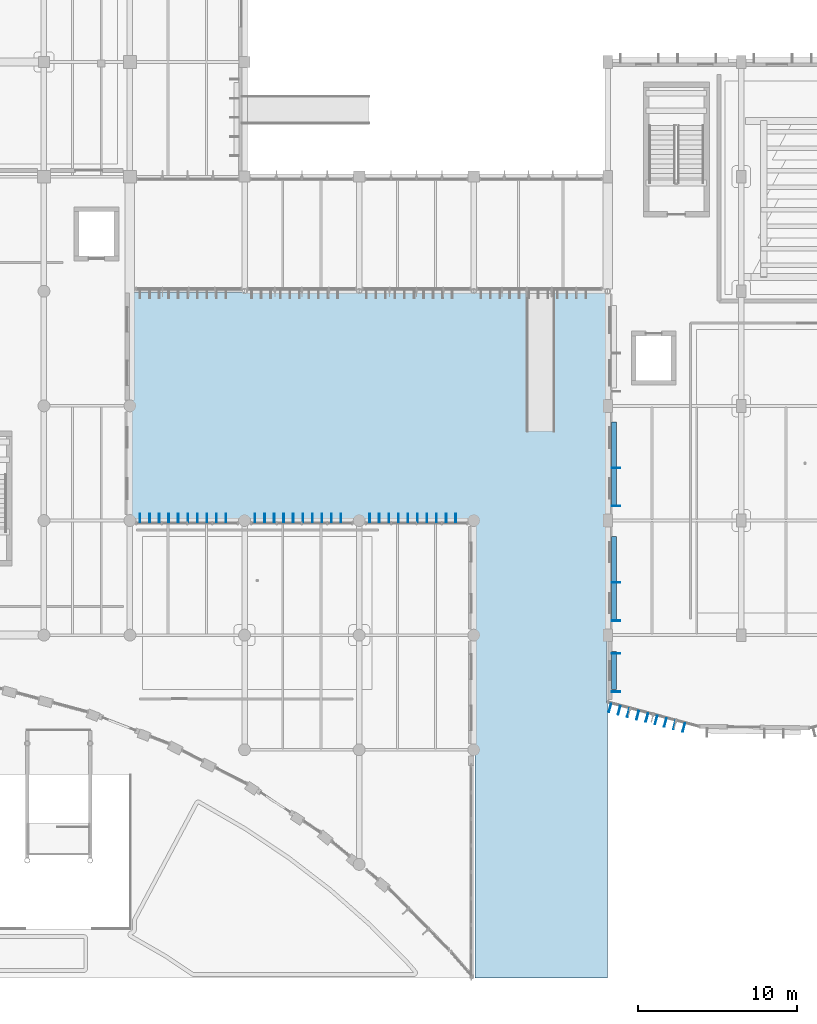
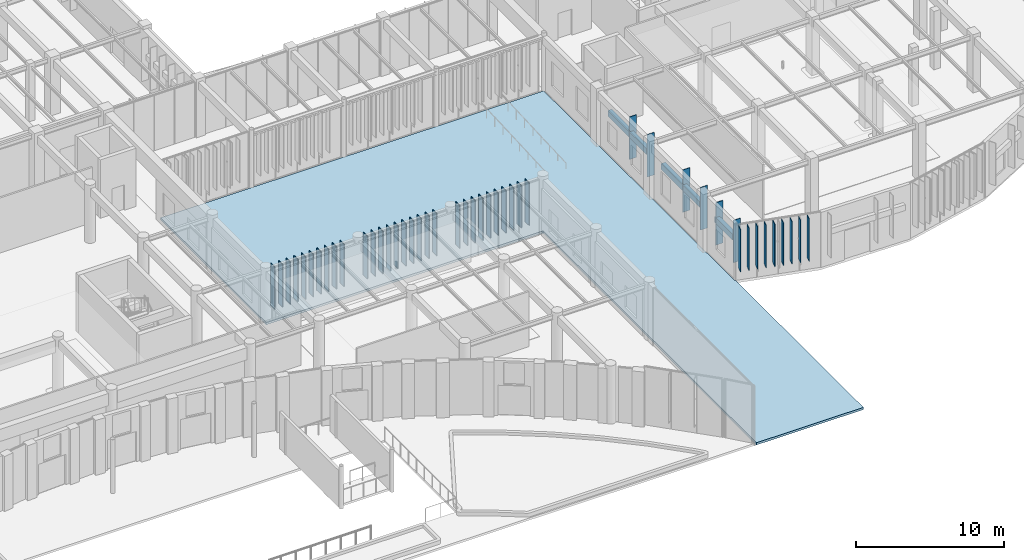
# One storey, part 19 of 122: 48 plates, 1 slab.
"""IFC4 building model written with IfcOpenShell, lengths in metres."""

from ifc_helpers import new_model, si_unit, direction, frame, origin, origin_2d, place, context, subcontext, project, spatial, polyline, rectangle, outline, extrude, material, layer, layer_set, type_object, element, save


model = new_model("IFC4")

# Units and contexts
model_context = context("Model", 3, precision=1e-05, world=origin(), true_north=direction((0.0, 1.0)))
body_context = subcontext(model_context, "Body", "Model", "MODEL_VIEW")
ifc_project = project(units=[si_unit("LENGTHUNIT", "METRE"), si_unit("AREAUNIT", "SQUARE_METRE"), si_unit("VOLUMEUNIT", "CUBIC_METRE"), si_unit("PLANEANGLEUNIT", "RADIAN"), si_unit("MASSUNIT", "GRAM", prefix="KILO")], contexts=[model_context])

# Site, building, storey
site_placement = place(None, origin())
site = spatial("IfcSite", under=ifc_project, at=site_placement, CompositionType="ELEMENT")
building_placement = place(site_placement, origin())
building = spatial("IfcBuilding", under=site, at=building_placement, Name="Tazoul Stagehouse", CompositionType="ELEMENT")
storey_placement = place(building_placement, origin())
storey = spatial("IfcBuildingStorey", under=building, at=storey_placement, Name="L00", CompositionType="ELEMENT", Elevation=0.0)

# Slab
ifc_material_1 = material(Name="Precast concrete C35/45", Category="concrete")
ifc_layer_1 = layer(ifc_material_1, 0.179931640625, Name="Precast concrete C35/45")
ifc_layer_set_1 = layer_set([ifc_layer_1], Name="Precast concrete C35/45")
slab_type = type_object("IfcSlabType", Name="Exterior Civic Transit Plaza Paving Plinth 180", PredefinedType="BASESLAB", material=ifc_layer_set_1)
slab_placement = place(storey_placement, frame((0.0, 0.0, -0.179931640625)))
element("IfcSlab", 1, at=slab_placement, inside=storey, type_object=slab_type, Name="L00 Civic Transit Plaza Paving Plinth PV-01 (3)", PredefinedType="BASESLAB", context=body_context, shape_type="SweptSolid", body=[
    extrude(outline(polyline([(117.06005859375, 1.449951171875), (117.06005859375, 30.199951171875), (117.059814453125, 30.205810546875), (117.058837890625, 30.211669921875), (117.057373046875, 30.21728515625), (117.055419921875, 30.222900390625), (117.052978515625, 30.228271484375), (117.0498046875, 30.2333984375), (117.04638671875, 30.238037109375), (117.04248046875, 30.242431640625), (117.0380859375, 30.246337890625), (117.033203125, 30.25), (117.0283203125, 30.2529296875), (117.02294921875, 30.25537109375), (117.017333984375, 30.25732421875), (117.01171875, 30.2587890625), (117.005859375, 30.259765625), (117.0, 30.260009765625), (95.4599609375, 30.260009765625), (95.4599609375, 44.52001953125), (125.340087890625, 44.52001953125), (125.340087890625, 18.800048828125), (125.34033203125, 18.7939453125), (125.34130859375, 18.7880859375), (125.3427734375, 18.781982421875), (125.3447265625, 18.7763671875), (125.347412109375, 18.77099609375), (125.3505859375, 18.765869140625), (125.354248046875, 18.760986328125), (125.3583984375, 18.756591796875), (125.363037109375, 18.752685546875), (125.367919921875, 18.749267578125), (125.373291015625, 18.746337890625), (125.37890625, 18.743896484375), (125.384521484375, 18.741943359375), (125.39990234375, 18.73779296875), (125.39990234375, 1.449951171875), (117.06005859375, 1.449951171875)])), origin(), (0.0, 0.0, 1.0), 0.179931640625),
])

# Plates
ifc_material_2 = material(Name="Anodised Bronze Aluminium 6063-T6", Category="aluminium")
ifc_layer_2 = layer(ifc_material_2, 0.550048828125, Name="Anodised Bronze Aluminium 6063-T6")
ifc_layer_set_2 = layer_set([ifc_layer_2], Name="Anodised Bronze Aluminium 6063-T6")
plate_type_1 = type_object("IfcPlateType", Name="Parametric Terracotta-Bronze Solar Fin 550x3500", PredefinedType="USERDEFINED", material=ifc_layer_set_2)
for number, where, z_axis, x_axis, name in (
    (2, (96.0400390625, 30.35498046875, 0.989990234375), (0.0, 0.0, 1.0), (1.0, 0.0, 0.0), "L00 Parametric Solar Fin SFN-21 (CW-V5-NRET-E-L00-B1-01)"),
    (3, (96.639892578125, 30.35498046875, 0.989990234375), (0.0, 0.0, 1.0), (1.0, 0.0, 0.0), "L00 Parametric Solar Fin SFN-21 (CW-V5-NRET-E-L00-B1-02)"),
    (4, (97.239990234375, 30.35498046875, 0.989990234375), (0.0, 0.0, 1.0), (1.0, 0.0, 0.0), "L00 Parametric Solar Fin SFN-21 (CW-V5-NRET-E-L00-B1-03)"),
    (5, (97.840087890625, 30.35498046875, 0.989990234375), (0.0, 0.0, 1.0), (1.0, 0.0, 0.0), "L00 Parametric Solar Fin SFN-21 (CW-V5-NRET-E-L00-B1-04)"),
    (6, (98.43994140625, 30.35498046875, 0.989990234375), (0.0, 0.0, 1.0), (1.0, 0.0, 0.0), "L00 Parametric Solar Fin SFN-21 (CW-V5-NRET-E-L00-B1-05)"),
    (7, (99.0400390625, 30.35498046875, 0.989990234375), (0.0, 0.0, 1.0), (1.0, 0.0, 0.0), "L00 Parametric Solar Fin SFN-21 (CW-V5-NRET-E-L00-B1-06)"),
    (8, (99.639892578125, 30.35498046875, 0.989990234375), (0.0, 0.0, 1.0), (1.0, 0.0, 0.0), "L00 Parametric Solar Fin SFN-21 (CW-V5-NRET-E-L00-B1-07)"),
    (9, (100.239990234375, 30.35498046875, 0.989990234375), (0.0, 0.0, 1.0), (1.0, 0.0, 0.0), "L00 Parametric Solar Fin SFN-21 (CW-V5-NRET-E-L00-B1-08)"),
    (10, (100.840087890625, 30.35498046875, 0.989990234375), (0.0, 0.0, 1.0), (1.0, 0.0, 0.0), "L00 Parametric Solar Fin SFN-21 (CW-V5-NRET-E-L00-B1-09)"),
    (11, (101.43994140625, 30.35498046875, 0.989990234375), (0.0, 0.0, 1.0), (1.0, 0.0, 0.0), "L00 Parametric Solar Fin SFN-21 (CW-V5-NRET-E-L00-B1-10)"),
    (12, (103.264892578125, 30.35498046875, 0.989990234375), (0.0, 0.0, 1.0), (1.0, 0.0, 0.0), "L00 Parametric Solar Fin SFN-21 (CW-V5-NRET-E-L00-B2-01)"),
    (13, (103.864990234375, 30.35498046875, 0.989990234375), (0.0, 0.0, 1.0), (1.0, 0.0, 0.0), "L00 Parametric Solar Fin SFN-21 (CW-V5-NRET-E-L00-B2-02)"),
    (14, (104.465087890625, 30.35498046875, 0.989990234375), (0.0, 0.0, 1.0), (1.0, 0.0, 0.0), "L00 Parametric Solar Fin SFN-21 (CW-V5-NRET-E-L00-B2-03)"),
    (15, (105.06494140625, 30.35498046875, 0.989990234375), (0.0, 0.0, 1.0), (1.0, 0.0, 0.0), "L00 Parametric Solar Fin SFN-21 (CW-V5-NRET-E-L00-B2-04)"),
    (16, (105.6650390625, 30.35498046875, 0.989990234375), (0.0, 0.0, 1.0), (1.0, 0.0, 0.0), "L00 Parametric Solar Fin SFN-21 (CW-V5-NRET-E-L00-B2-05)"),
    (17, (106.264892578125, 30.35498046875, 0.989990234375), (0.0, 0.0, 1.0), (1.0, 0.0, 0.0), "L00 Parametric Solar Fin SFN-21 (CW-V5-NRET-E-L00-B2-06)"),
    (18, (106.864990234375, 30.35498046875, 0.989990234375), (0.0, 0.0, 1.0), (1.0, 0.0, 0.0), "L00 Parametric Solar Fin SFN-21 (CW-V5-NRET-E-L00-B2-07)"),
    (19, (107.465087890625, 30.35498046875, 0.989990234375), (0.0, 0.0, 1.0), (1.0, 0.0, 0.0), "L00 Parametric Solar Fin SFN-21 (CW-V5-NRET-E-L00-B2-08)"),
    (20, (108.06494140625, 30.35498046875, 0.989990234375), (0.0, 0.0, 1.0), (1.0, 0.0, 0.0), "L00 Parametric Solar Fin SFN-21 (CW-V5-NRET-E-L00-B2-09)"),
    (21, (108.6650390625, 30.35498046875, 0.989990234375), (0.0, 0.0, 1.0), (1.0, 0.0, 0.0), "L00 Parametric Solar Fin SFN-21 (CW-V5-NRET-E-L00-B2-10)"),
    (22, (110.465087890625, 30.35498046875, 0.989990234375), (0.0, 0.0, 1.0), (1.0, 0.0, 0.0), "L00 Parametric Solar Fin SFN-21 (CW-V5-NRET-E-L00-B3-01)"),
    (23, (111.06494140625, 30.35498046875, 0.989990234375), (0.0, 0.0, 1.0), (1.0, 0.0, 0.0), "L00 Parametric Solar Fin SFN-21 (CW-V5-NRET-E-L00-B3-02)"),
    (24, (111.6650390625, 30.35498046875, 0.989990234375), (0.0, 0.0, 1.0), (1.0, 0.0, 0.0), "L00 Parametric Solar Fin SFN-21 (CW-V5-NRET-E-L00-B3-03)"),
    (25, (112.264892578125, 30.35498046875, 0.989990234375), (0.0, 0.0, 1.0), (1.0, 0.0, 0.0), "L00 Parametric Solar Fin SFN-21 (CW-V5-NRET-E-L00-B3-04)"),
    (26, (112.864990234375, 30.35498046875, 0.989990234375), (0.0, 0.0, 1.0), (1.0, 0.0, 0.0), "L00 Parametric Solar Fin SFN-21 (CW-V5-NRET-E-L00-B3-05)"),
    (27, (113.465087890625, 30.35498046875, 0.989990234375), (0.0, 0.0, 1.0), (1.0, 0.0, 0.0), "L00 Parametric Solar Fin SFN-21 (CW-V5-NRET-E-L00-B3-06)"),
    (28, (114.06494140625, 30.35498046875, 0.989990234375), (0.0, 0.0, 1.0), (1.0, 0.0, 0.0), "L00 Parametric Solar Fin SFN-21 (CW-V5-NRET-E-L00-B3-07)"),
    (29, (114.6650390625, 30.35498046875, 0.989990234375), (0.0, 0.0, 1.0), (1.0, 0.0, 0.0), "L00 Parametric Solar Fin SFN-21 (CW-V5-NRET-E-L00-B3-08)"),
    (30, (115.264892578125, 30.35498046875, 0.989990234375), (0.0, 0.0, 1.0), (1.0, 0.0, 0.0), "L00 Parametric Solar Fin SFN-21 (CW-V5-NRET-E-L00-B3-09)"),
    (31, (115.864990234375, 30.35498046875, 0.989990234375), (0.0, 0.0, 1.0), (1.0, 0.0, 0.0), "L00 Parametric Solar Fin SFN-21 (CW-V5-NRET-E-L00-B3-10)"),
    (32, (125.551025390625, 18.433837890625, 0.989990234375), (0.0, 0.0, 1.0), (0.966413318036, -0.256992798969, 0.0), "L00 Parametric Solar Fin SFN-21 (CW-V4-DRUM-L00-S01-01)"),
    (33, (126.130859375, 18.27978515625, 0.989990234375), (0.0, 0.0, 1.0), (0.966413318036, -0.256992798969, 0.0), "L00 Parametric Solar Fin SFN-21 (CW-V4-DRUM-L00-S01-02)"),
    (34, (126.710693359375, 18.12548828125, 0.989990234375), (0.0, 0.0, 1.0), (0.966413318036, -0.256992798969, 0.0), "L00 Parametric Solar Fin SFN-21 (CW-V4-DRUM-L00-S01-03)"),
    (35, (127.29052734375, 17.97119140625, 0.989990234375), (0.0, 0.0, 1.0), (0.966413318036, -0.256992798969, 0.0), "L00 Parametric Solar Fin SFN-21 (CW-V4-DRUM-L00-S01-04)"),
    (36, (127.870361328125, 17.817138671875, 0.989990234375), (0.0, 0.0, 1.0), (0.966413318036, -0.256992798969, 0.0), "L00 Parametric Solar Fin SFN-21 (CW-V4-DRUM-L00-S01-05)"),
    (37, (128.4501953125, 17.662841796875, 0.989990234375), (0.0, 0.0, 1.0), (0.966413318036, -0.256992798969, 0.0), "L00 Parametric Solar Fin SFN-21 (CW-V4-DRUM-L00-S01-06)"),
    (38, (129.030029296875, 17.5087890625, 0.989990234375), (0.0, 0.0, 1.0), (0.966413318036, -0.256992798969, 0.0), "L00 Parametric Solar Fin SFN-21 (CW-V4-DRUM-L00-S01-07)"),
    (39, (129.60986328125, 17.3544921875, 0.989990234375), (0.0, 0.0, 1.0), (0.966413318036, -0.256992798969, 0.0), "L00 Parametric Solar Fin SFN-21 (CW-V4-DRUM-L00-S01-08)"),
    (40, (130.189697265625, 17.2001953125, 0.989990234375), (0.0, 0.0, 1.0), (0.966413318036, -0.256992798969, 0.0), "L00 Parametric Solar Fin SFN-21 (CW-V4-DRUM-L00-S01-09)"),
    (41, (125.925048828125, 19.449951171875, 0.919921875), (0.0, 0.0, 1.0), (0.0, 1.0, 0.0), "L00 Parametric Solar Fin SFN-21 (WALL-V4-W-L00-S1-01)"),
    (42, (125.925048828125, 21.85009765625, 0.919921875), (0.0, 0.0, 1.0), (0.0, 1.0, 0.0), "L00 Parametric Solar Fin SFN-21 (WALL-V4-W-L00-S1-03)"),
    (43, (125.925048828125, 23.905029296875, 0.919921875), (0.0, 0.0, 1.0), (0.0, 1.0, 0.0), "L00 Parametric Solar Fin SFN-21 (WALL-V4-W-L00-S2-01)"),
    (44, (125.925048828125, 26.304931640625, 0.919921875), (0.0, 0.0, 1.0), (0.0, 1.0, 0.0), "L00 Parametric Solar Fin SFN-21 (WALL-V4-W-L00-S2-03)"),
    (45, (125.925048828125, 31.10498046875, 0.919921875), (0.0, 0.0, 1.0), (0.0, 1.0, 0.0), "L00 Parametric Solar Fin SFN-21 (WALL-V4-W-L00-S3-01)"),
    (46, (125.925048828125, 33.5048828125, 0.919921875), (0.0, 0.0, 1.0), (0.0, 1.0, 0.0), "L00 Parametric Solar Fin SFN-21 (WALL-V4-W-L00-S3-03)"),
):
    element("IfcPlate", number, at=place(storey_placement, frame(where, z_axis=z_axis, x_axis=x_axis)), inside=storey, type_object=plate_type_1, Name=name, ObjectType="SOLAR FIN", PredefinedType="USERDEFINED", context=body_context, shape_type="SweptSolid", body=[
        extrude(rectangle(XDim=0.044921875, YDim=0.550048828125, at=origin_2d()), origin(), (0.0, 0.0, 1.0), 3.5),
    ])
ifc_layer_3 = layer(ifc_material_2, 0.320068359375, Name="Anodised Bronze Aluminium 6063-T6")
ifc_layer_set_3 = layer_set([ifc_layer_3], Name="Anodised Bronze Aluminium 6063-T6")
plate_type_2 = type_object("IfcPlateType", Name="Sculpted Facade Spandrel Ribbon 2400x480", PredefinedType="USERDEFINED", material=ifc_layer_set_3)
plate_placement = place(storey_placement, frame((125.81005859375, 20.7724609375, 2.7109375), z_axis=(0.0, 0.0, 1.0), x_axis=(0.0, 1.0, 0.0)))
element("IfcPlate", 47, at=plate_placement, inside=storey, type_object=plate_type_2, Name="L00 Sculpted Facade Spandrel Ribbon FRB-02 (WALL-V4-W-L00-S1)", ObjectType="FACADE RIBBON", PredefinedType="USERDEFINED", context=body_context, shape_type="SweptSolid", body=[
    extrude(rectangle(XDim=2.39990234375, YDim=0.320068359375, at=origin_2d()), origin(), (0.0, 0.0, 1.0), 0.47998046875),
])
ifc_layer_4 = layer(ifc_material_2, 0.320068359375, Name="Anodised Bronze Aluminium 6063-T6")
ifc_layer_set_4 = layer_set([ifc_layer_4], Name="Anodised Bronze Aluminium 6063-T6")
plate_type_3 = type_object("IfcPlateType", Name="Sculpted Facade Spandrel Ribbon 5200x480", PredefinedType="USERDEFINED", material=ifc_layer_set_4)
for number, where, z_axis, x_axis, name in (
    (48, (125.81005859375, 26.60009765625, 2.7109375), (0.0, 0.0, 1.0), (0.0, 1.0, 0.0), "L00 Sculpted Facade Spandrel Ribbon FRB-07 (WALL-V4-W-L00-S2)"),
    (49, (125.81005859375, 33.800048828125, 2.7109375), (0.0, 0.0, 1.0), (0.0, 1.0, 0.0), "L00 Sculpted Facade Spandrel Ribbon FRB-07 (WALL-V4-W-L00-S3)"),
):
    element("IfcPlate", number, at=place(storey_placement, frame(where, z_axis=z_axis, x_axis=x_axis)), inside=storey, type_object=plate_type_3, Name=name, ObjectType="FACADE RIBBON", PredefinedType="USERDEFINED", context=body_context, shape_type="SweptSolid", body=[
        extrude(rectangle(XDim=5.199951171875, YDim=0.320068359375, at=origin_2d()), origin(), (0.0, 0.0, 1.0), 0.47998046875),
    ])

save(model, "model.ifc")
